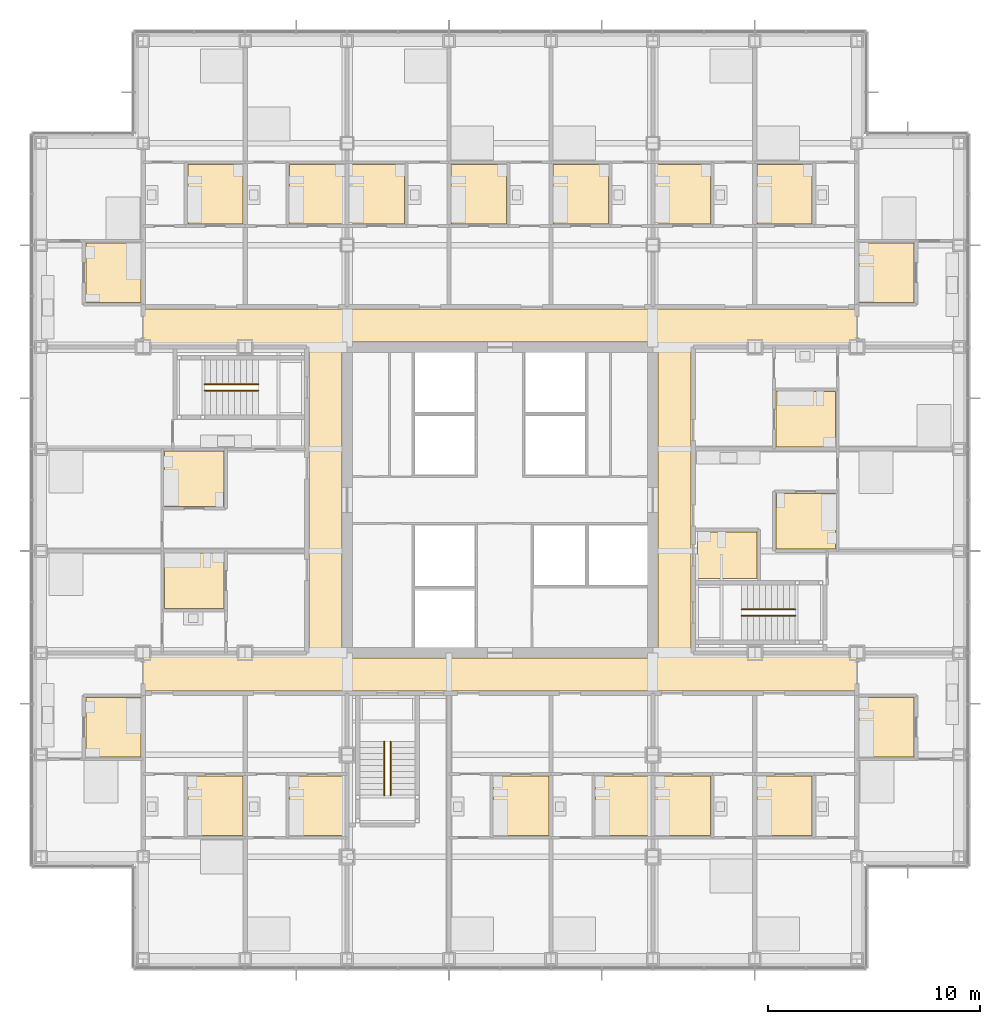
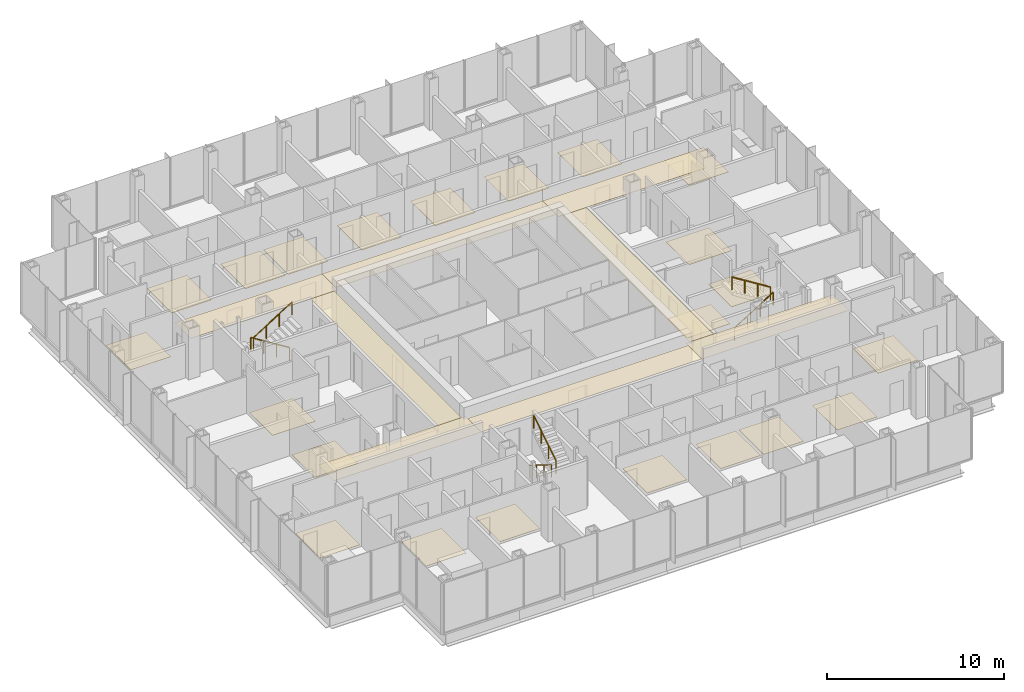
# One storey, part 20 of 22: 30 coverings, 6 railings.
"""IFC4 building model written with IfcOpenShell, lengths in metres."""

import ifcopenshell
import ifcopenshell.guid

model = None  # the IFC model being written
_history = None  # IfcOwnerHistory: only IFC2X3 demands one
_inside = {}  # id of a spatial element -> (the spatial element, [elements in it])
_under = {}  # id of a project, library or spatial element -> (it, [spatial elements below it])
_declared = {}  # id of a project -> (the project, [libraries it declares])
_typed = {}  # id of a type object -> (the type object, [elements of that type])
_made_of = {}  # id of a material, layer set ... -> (it, [elements and type objects made of it])


def new_model(schema):
    """Start an empty IFC model of exactly this schema.

    Asked for "IFC4X3", IfcOpenShell would pick the latest addendum, in which some entities
    have other attributes; the version numbers below select the first issue.
    IFC2X3 requires an IfcOwnerHistory on every rooted entity: one is made here for all.
    """
    global model, _history
    if schema == "IFC4X3":
        model = ifcopenshell.file(schema_version=(4, 3, 0, 0))
    else:
        model = ifcopenshell.file(schema=schema)
    _inside.clear()
    _under.clear()
    _declared.clear()
    _typed.clear()
    _made_of.clear()
    _history = None
    if model.schema == "IFC2X3":
        org = make("IfcOrganization", Name="unknown")
        user = make(
            "IfcPersonAndOrganization",
            ThePerson=make("IfcPerson", FamilyName="unknown"),
            TheOrganization=org,
        )
        app = make(
            "IfcApplication",
            ApplicationDeveloper=org,
            Version="unknown",
            ApplicationFullName="unknown",
            ApplicationIdentifier="unknown",
        )
        _history = make(
            "IfcOwnerHistory",
            OwningUser=user,
            OwningApplication=app,
            ChangeAction="ADDED",
            CreationDate=0,
        )
    return model


def make(cls, **values):
    """One entity of the class cls with the attributes given. An attribute that is None is left unset."""
    return model.create_entity(
        cls, **{name: value for name, value in values.items() if value is not None}
    )


def rooted(cls, **values):
    """An entity with a GlobalId (a new one), such as an element, a storey or a relation."""
    return make(cls, GlobalId=ifcopenshell.guid.new(), OwnerHistory=_history, **values)


def si_unit(unit_type, name, prefix=None):
    """IfcSIUnit, for example si_unit("LENGTHUNIT", "METRE", prefix="MILLI")."""
    return make("IfcSIUnit", UnitType=unit_type, Prefix=prefix, Name=name)


def assignment(units):
    """IfcUnitAssignment: the units of a project."""
    return None if units is None else make("IfcUnitAssignment", Units=units)


def point(xyz):
    """IfcCartesianPoint."""
    return None if xyz is None else make("IfcCartesianPoint", Coordinates=xyz)


def direction(xyz):
    """IfcDirection."""
    return None if xyz is None else make("IfcDirection", DirectionRatios=xyz)


def frame(location, z_axis=None, x_axis=None):
    """IfcAxis2Placement3D, a coordinate frame: its origin and axes. An axis left out is left unset."""
    return make(
        "IfcAxis2Placement3D",
        Location=point(location),
        Axis=direction(z_axis),
        RefDirection=direction(x_axis),
    )


def frame_2d(location, x_axis=None):
    """IfcAxis2Placement2D, a coordinate frame in the plane: its origin and x axis."""
    return make(
        "IfcAxis2Placement2D", Location=point(location), RefDirection=direction(x_axis)
    )


def origin():
    """The frame at (0, 0, 0) with its axes left unset."""
    return frame((0.0, 0.0, 0.0))


def origin_2d():
    """The frame at (0, 0) in the plane with its x axis left unset."""
    return frame_2d((0.0, 0.0))


def place(relative_to, where):
    """IfcLocalPlacement: puts the frame where relative to a parent placement (None: the world)."""
    return make(
        "IfcLocalPlacement", PlacementRelTo=relative_to, RelativePlacement=where
    )


def context(
    kind, dimensions, precision=None, world=None, true_north=None, identifier=None
):
    """IfcGeometricRepresentationContext, for example the 3D "Model" context."""
    return make(
        "IfcGeometricRepresentationContext",
        ContextIdentifier=identifier,
        ContextType=kind,
        CoordinateSpaceDimension=dimensions,
        Precision=precision,
        WorldCoordinateSystem=world,
        TrueNorth=true_north,
    )


def subcontext(parent, identifier, kind, view, scale=None):
    """IfcGeometricRepresentationSubContext, for example "Body" below "Model"."""
    return make(
        "IfcGeometricRepresentationSubContext",
        ContextIdentifier=identifier,
        ContextType=kind,
        ParentContext=parent,
        TargetScale=scale,
        TargetView=view,
    )


def project(units=None, contexts=None):
    """IfcProject with its units and contexts."""
    return rooted(
        "IfcProject",
        Name="project",
        RepresentationContexts=contexts,
        UnitsInContext=assignment(units),
    )


def spatial(cls, under=None, at=None, **own):
    """A site, building, storey or space (cls), placed at a placement, below another one or the project."""
    s = rooted(cls, ObjectPlacement=at, **own)
    if under is not None:
        _under.setdefault(under.id(), (under, []))[1].append(s)
    return s


def polyline(points):
    """IfcPolyline through the points."""
    return make("IfcPolyline", Points=[point(p) for p in points])


def profile(cls, at=None, kind="AREA", **sizes):
    """A parametric profile (cls). Its sizes go by their IFC names, for example OverallWidth=200.0."""
    return make(cls, ProfileType=kind, Position=at, **sizes)


def circle(**sizes):
    """IfcCircleProfileDef."""
    return profile("IfcCircleProfileDef", **sizes)


def outline(outer, holes=None, kind="AREA"):
    """IfcArbitraryClosedProfileDef: a profile drawn as a closed curve; with holes, ...WithVoids."""
    if holes is None:
        return make("IfcArbitraryClosedProfileDef", ProfileType=kind, OuterCurve=outer)
    return make(
        "IfcArbitraryProfileDefWithVoids",
        ProfileType=kind,
        OuterCurve=outer,
        InnerCurves=holes,
    )


def extrude(swept, where, along, depth):
    """IfcExtrudedAreaSolid: the profile swept, set in the frame where, extruded along a direction by depth."""
    return make(
        "IfcExtrudedAreaSolid",
        SweptArea=swept,
        Position=where,
        ExtrudedDirection=direction(along),
        Depth=depth,
    )


def shape(context_of_items, identifier, shape_type, items):
    """IfcShapeRepresentation: the items that make up one representation, for example the "Body"."""
    return make(
        "IfcShapeRepresentation",
        ContextOfItems=context_of_items,
        RepresentationIdentifier=identifier,
        RepresentationType=shape_type,
        Items=items,
    )


def material(Name=None, Category=None):
    """IfcMaterial."""
    return make("IfcMaterial", Name=Name, Category=Category)


def layer(
    of_material, thickness, ventilated=None, Name=None, Category=None, Priority=None
):
    """IfcMaterialLayer: one layer of a wall or slab, of a material (None: an air gap)."""
    return make(
        "IfcMaterialLayer",
        Material=of_material,
        LayerThickness=thickness,
        IsVentilated=ventilated,
        Name=Name,
        Category=Category,
        Priority=Priority,
    )


def layer_set(layers, Name=None):
    """IfcMaterialLayerSet."""
    return make("IfcMaterialLayerSet", MaterialLayers=layers, LayerSetName=Name)


def made_of(thing, what):
    """Note that an element or type object is made of a material, layer set ...; save() writes the relation."""
    if what is not None:
        _made_of.setdefault(what.id(), (what, []))[1].append(thing)
    return thing


def type_object(cls, material=None, **own):
    """A type object (cls), such as IfcWallType, which elements share."""
    return made_of(rooted(cls, **own), material)


def element(
    cls,
    number,
    at=None,
    inside=None,
    cuts=None,
    type_object=None,
    material=None,
    context=None,
    identifier="Body",
    shape_type=None,
    held_by="IfcProductDefinitionShape",
    body=None,
    shapes=None,
    **own,
):
    """One element of the class cls, such as IfcWall. Its Tag is "e" and its number.

    at: its placement. inside: the storey or other place that contains it. cuts: it is an
    opening in that element (IfcRelVoidsElement). A single representation is given by context,
    identifier, shape_type and body (its items); several are given by shapes. held_by: the class
    of the entity that holds the representations. save() writes the other relations.
    """
    e = rooted(cls, Tag="e%d" % number, ObjectPlacement=at, **own)
    if body is not None:
        shapes = [shape(context, identifier, shape_type, body)]
    if shapes is not None:
        e.Representation = make(held_by, Representations=shapes)
    if inside is not None:
        _inside.setdefault(inside.id(), (inside, []))[1].append(e)
    if cuts is not None:
        rooted(
            "IfcRelVoidsElement", RelatingBuildingElement=cuts, RelatedOpeningElement=e
        )
    if type_object is not None:
        _typed.setdefault(type_object.id(), (type_object, []))[1].append(e)
    return made_of(e, material)


def aggregate(whole, parts):
    """IfcRelAggregates: a whole, such as a stair, and the parts it consists of."""
    return rooted("IfcRelAggregates", RelatingObject=whole, RelatedObjects=parts)


def save(model, path):
    """Write the relations noted so far, then the file.

    IfcRelAggregates (storeys below a building ...), IfcRelContainedInSpatialStructure (elements
    in a storey), IfcRelDefinesByType, IfcRelAssociatesMaterial and IfcRelDeclares: one each for
    every whole, place, type object, material and project.
    """
    for whole, parts in _under.values():
        aggregate(whole, parts)
    for where, things in _inside.values():
        rooted(
            "IfcRelContainedInSpatialStructure",
            RelatedElements=things,
            RelatingStructure=where,
        )
    for kind, things in _typed.values():
        rooted("IfcRelDefinesByType", RelatedObjects=things, RelatingType=kind)
    for what, things in _made_of.values():
        rooted("IfcRelAssociatesMaterial", RelatedObjects=things, RelatingMaterial=what)
    for by, libraries in _declared.values():
        rooted("IfcRelDeclares", RelatingContext=by, RelatedDefinitions=libraries)
    model.write(path)


model = new_model("IFC4")

# Units and contexts
model_context = context("Model", 3, precision=1e-05, world=origin(), true_north=direction((0.0, 1.0)))
body_context = subcontext(model_context, "Body", "Model", "MODEL_VIEW")
ifc_project = project(units=[si_unit("LENGTHUNIT", "METRE"), si_unit("AREAUNIT", "SQUARE_METRE"), si_unit("VOLUMEUNIT", "CUBIC_METRE"), si_unit("PLANEANGLEUNIT", "RADIAN"), si_unit("MASSUNIT", "GRAM", prefix="KILO")], contexts=[model_context])

# Site, building, storey
site_placement = place(None, origin())
site = spatial("IfcSite", under=ifc_project, at=site_placement, CompositionType="ELEMENT")
building_placement = place(site_placement, origin())
building = spatial("IfcBuilding", under=site, at=building_placement, Name="Kvirike Care Tower", CompositionType="ELEMENT")
storey_placement = place(building_placement, frame((0.0, 0.0, 72.5)))
storey = spatial("IfcBuildingStorey", under=building, at=storey_placement, Name="L19", CompositionType="ELEMENT", Elevation=72.5)

# Coverings
ifc_material_1 = material(Name="Perforated metal ceiling tile", Category="aluminium")
ifc_layer_1 = layer(ifc_material_1, 0.014892578125)
ifc_layer_set_1 = layer_set([ifc_layer_1], Name="CORRIDOR CEILING 15")
covering_type_1 = type_object("IfcCoveringType", Name="CORRIDOR CEILING 15", PredefinedType="CEILING", material=ifc_layer_set_1)
covering_1_placement = place(storey_placement, frame((0.0, 0.0, 2.5)))
element("IfcCovering", 1, at=covering_1_placement, inside=storey, type_object=covering_type_1, Name="Corridor ceiling L19", PredefinedType="CEILING", context=body_context, shape_type="SweptSolid", body=[
    extrude(outline(polyline([(4.800048828125, 27.0), (4.800048828125, 28.800048828125), (14.39990234375, 28.800048828125), (14.39990234375, 27.0), (4.800048828125, 27.0)])), origin(), (0.0, 0.0, 1.0), 0.014892578125),
])
covering_2_placement = place(storey_placement, frame((0.0, 0.0, 2.5)))
element("IfcCovering", 2, at=covering_2_placement, inside=storey, type_object=covering_type_1, Name="Corridor ceiling L19", PredefinedType="CEILING", context=body_context, shape_type="SweptSolid", body=[
    extrude(outline(polyline([(12.60009765625, 43.199951171875), (14.14990234375, 43.199951171875), (14.14990234375, 28.800048828125), (12.60009765625, 28.800048828125), (12.60009765625, 43.199951171875)])), origin(), (0.0, 0.0, 1.0), 0.014892578125),
])
covering_3_placement = place(storey_placement, frame((0.0, 0.0, 2.5)))
element("IfcCovering", 3, at=covering_3_placement, inside=storey, type_object=covering_type_1, Name="Corridor ceiling L19", PredefinedType="CEILING", context=body_context, shape_type="SweptSolid", body=[
    extrude(outline(polyline([(14.39990234375, 45.0), (14.39990234375, 43.199951171875), (4.800048828125, 43.199951171875), (4.800048828125, 45.0), (14.39990234375, 45.0)])), origin(), (0.0, 0.0, 1.0), 0.014892578125),
])
covering_4_placement = place(storey_placement, frame((0.0, 0.0, 2.5)))
element("IfcCovering", 4, at=covering_4_placement, inside=storey, type_object=covering_type_1, Name="Corridor ceiling L19", PredefinedType="CEILING", context=body_context, shape_type="SweptSolid", body=[
    extrude(outline(polyline([(14.39990234375, 27.0), (14.39990234375, 28.550048828125), (28.800048828125, 28.550048828125), (28.800048828125, 27.0), (14.39990234375, 27.0)])), origin(), (0.0, 0.0, 1.0), 0.014892578125),
])
covering_5_placement = place(storey_placement, frame((0.0, 0.0, 2.5)))
element("IfcCovering", 5, at=covering_5_placement, inside=storey, type_object=covering_type_1, Name="Corridor ceiling L19", PredefinedType="CEILING", context=body_context, shape_type="SweptSolid", body=[
    extrude(outline(polyline([(28.800048828125, 45.0), (28.800048828125, 43.449951171875), (14.39990234375, 43.449951171875), (14.39990234375, 45.0), (28.800048828125, 45.0)])), origin(), (0.0, 0.0, 1.0), 0.014892578125),
])
covering_6_placement = place(storey_placement, frame((0.0, 0.0, 2.5)))
element("IfcCovering", 6, at=covering_6_placement, inside=storey, type_object=covering_type_1, Name="Corridor ceiling L19", PredefinedType="CEILING", context=body_context, shape_type="SweptSolid", body=[
    extrude(outline(polyline([(28.800048828125, 27.0), (28.800048828125, 28.800048828125), (38.39990234375, 28.800048828125), (38.39990234375, 27.0), (28.800048828125, 27.0)])), origin(), (0.0, 0.0, 1.0), 0.014892578125),
])
covering_7_placement = place(storey_placement, frame((0.0, 0.0, 2.5)))
element("IfcCovering", 7, at=covering_7_placement, inside=storey, type_object=covering_type_1, Name="Corridor ceiling L19", PredefinedType="CEILING", context=body_context, shape_type="SweptSolid", body=[
    extrude(outline(polyline([(30.60009765625, 28.800048828125), (29.050048828125, 28.800048828125), (29.050048828125, 43.199951171875), (30.60009765625, 43.199951171875), (30.60009765625, 28.800048828125)])), origin(), (0.0, 0.0, 1.0), 0.014892578125),
])
covering_8_placement = place(storey_placement, frame((0.0, 0.0, 2.5)))
element("IfcCovering", 8, at=covering_8_placement, inside=storey, type_object=covering_type_1, Name="Corridor ceiling L19", PredefinedType="CEILING", context=body_context, shape_type="SweptSolid", body=[
    extrude(outline(polyline([(38.39990234375, 45.0), (38.39990234375, 43.199951171875), (28.800048828125, 43.199951171875), (28.800048828125, 45.0), (38.39990234375, 45.0)])), origin(), (0.0, 0.0, 1.0), 0.014892578125),
])

# Railings
ifc_material_2 = material(Name="Stainless steel handrail", Category="steel")
railing_type = type_object("IfcRailingType", Name="STAIR HANDRAIL 900", PredefinedType="HANDRAIL", material=ifc_material_2)
railing_1_placement = place(storey_placement, frame((10.219970703125, 41.449951171875, 0.175048828125)))
element("IfcRailing", 9, at=railing_1_placement, inside=storey, type_object=railing_type, Name="Stair 1 handrail L19 flight 1", PredefinedType="HANDRAIL", context=body_context, shape_type="SweptSolid", body=[
    extrude(circle(Radius=0.02490234375, at=origin_2d()), frame((0.0, 0.0, 0.875), z_axis=(-0.848007534815, 0.0, 0.529984170421), x_axis=(0.0, -1.0, 0.0)), (0.0, 0.0, 1.0), 2.9716796875),
    extrude(circle(Radius=0.02001953125, at=origin_2d()), origin(), (0.0, 0.0, 1.0), 0.849853515625),
    extrude(circle(Radius=0.02001953125, at=origin_2d()), frame((-0.840087890625, 0.0, 0.52490234375)), (0.0, 0.0, 1.0), 0.849853515625),
    extrude(circle(Radius=0.02001953125, at=origin_2d()), frame((-1.679931640625, 0.0, 1.050048828125)), (0.0, 0.0, 1.0), 0.849853515625),
    extrude(circle(Radius=0.02001953125, at=origin_2d()), frame((-2.52001953125, 0.0, 1.574951171875)), (0.0, 0.0, 1.0), 0.849853515625),
])
for number, where, name in (
    (10, (7.699951171875, 41.14990234375, 1.925048828125), "Stair 1 handrail L19 flight 2"),
    (11, (32.97998046875, 30.550048828125, 0.175048828125), "Stair 2 handrail L19 flight 1"),
):
    element("IfcRailing", number, at=place(storey_placement, frame(where)), inside=storey, type_object=railing_type, Name=name, PredefinedType="HANDRAIL", context=body_context, shape_type="SweptSolid", body=[
        extrude(circle(Radius=0.02490234375, at=origin_2d()), frame((0.0, 0.0, 0.875), z_axis=(0.848007534815, 0.0, 0.529984170421), x_axis=(0.0, 1.0, 0.0)), (0.0, 0.0, 1.0), 2.9716796875),
        extrude(circle(Radius=0.02001953125, at=origin_2d()), origin(), (0.0, 0.0, 1.0), 0.849853515625),
        extrude(circle(Radius=0.02001953125, at=origin_2d()), frame((0.840087890625, 0.0, 0.52490234375)), (0.0, 0.0, 1.0), 0.849853515625),
        extrude(circle(Radius=0.02001953125, at=origin_2d()), frame((1.679931640625, 0.0, 1.050048828125)), (0.0, 0.0, 1.0), 0.849853515625),
        extrude(circle(Radius=0.02001953125, at=origin_2d()), frame((2.52001953125, 0.0, 1.574951171875)), (0.0, 0.0, 1.0), 0.849853515625),
    ])
railing_2_placement = place(storey_placement, frame((35.5, 30.85009765625, 1.925048828125)))
element("IfcRailing", 12, at=railing_2_placement, inside=storey, type_object=railing_type, Name="Stair 2 handrail L19 flight 2", PredefinedType="HANDRAIL", context=body_context, shape_type="SweptSolid", body=[
    extrude(circle(Radius=0.02490234375, at=origin_2d()), frame((0.0, 0.0, 0.875), z_axis=(-0.848007534815, 0.0, 0.529984170421), x_axis=(0.0, -1.0, 0.0)), (0.0, 0.0, 1.0), 2.9716796875),
    extrude(circle(Radius=0.02001953125, at=origin_2d()), origin(), (0.0, 0.0, 1.0), 0.849853515625),
    extrude(circle(Radius=0.02001953125, at=origin_2d()), frame((-0.840087890625, 0.0, 0.52490234375)), (0.0, 0.0, 1.0), 0.849853515625),
    extrude(circle(Radius=0.02001953125, at=origin_2d()), frame((-1.679931640625, 0.0, 1.050048828125)), (0.0, 0.0, 1.0), 0.849853515625),
    extrude(circle(Radius=0.02001953125, at=origin_2d()), frame((-2.52001953125, 0.0, 1.574951171875)), (0.0, 0.0, 1.0), 0.849853515625),
])
railing_3_placement = place(storey_placement, frame((16.14990234375, 24.6201171875, 0.175048828125)))
element("IfcRailing", 13, at=railing_3_placement, inside=storey, type_object=railing_type, Name="Stair 5 handrail L19 flight 1", PredefinedType="HANDRAIL", context=body_context, shape_type="SweptSolid", body=[
    extrude(circle(Radius=0.02490234375, at=origin_2d()), frame((0.0, 0.0, 0.875), z_axis=(0.0, -0.848007534815, 0.529984170421), x_axis=(1.0, 0.0, 0.0)), (0.0, 0.0, 1.0), 2.9716796875),
    extrude(circle(Radius=0.02001953125, at=origin_2d()), origin(), (0.0, 0.0, 1.0), 0.849853515625),
    extrude(circle(Radius=0.02001953125, at=origin_2d()), frame((0.0, -0.840087890625, 0.52490234375)), (0.0, 0.0, 1.0), 0.849853515625),
    extrude(circle(Radius=0.02001953125, at=origin_2d()), frame((0.0, -1.679931640625, 1.050048828125)), (0.0, 0.0, 1.0), 0.849853515625),
    extrude(circle(Radius=0.02001953125, at=origin_2d()), frame((0.0, -2.52001953125, 1.574951171875)), (0.0, 0.0, 1.0), 0.849853515625),
])
railing_4_placement = place(storey_placement, frame((16.449951171875, 22.10009765625, 1.925048828125)))
element("IfcRailing", 14, at=railing_4_placement, inside=storey, type_object=railing_type, Name="Stair 5 handrail L19 flight 2", PredefinedType="HANDRAIL", context=body_context, shape_type="SweptSolid", body=[
    extrude(circle(Radius=0.02490234375, at=origin_2d()), frame((0.0, 0.0, 0.875), z_axis=(0.0, 0.848007534815, 0.529984170421), x_axis=(-1.0, 0.0, 0.0)), (0.0, 0.0, 1.0), 2.9716796875),
    extrude(circle(Radius=0.02001953125, at=origin_2d()), origin(), (0.0, 0.0, 1.0), 0.849853515625),
    extrude(circle(Radius=0.02001953125, at=origin_2d()), frame((0.0, 0.840087890625, 0.52490234375)), (0.0, 0.0, 1.0), 0.849853515625),
    extrude(circle(Radius=0.02001953125, at=origin_2d()), frame((0.0, 1.679931640625, 1.050048828125)), (0.0, 0.0, 1.0), 0.849853515625),
    extrude(circle(Radius=0.02001953125, at=origin_2d()), frame((0.0, 2.52001953125, 1.574951171875)), (0.0, 0.0, 1.0), 0.849853515625),
])

# Coverings
ifc_material_3 = material(Name="Slip-resistant vinyl safety flooring on screed")
ifc_layer_2 = layer(ifc_material_3, 0.02001953125)
ifc_layer_set_2 = layer_set([ifc_layer_2], Name="WET ROOM FLOOR 20")
covering_type_2 = type_object("IfcCoveringType", Name="WET ROOM FLOOR 20", PredefinedType="FLOORING", material=ifc_layer_set_2)
covering_9_placement = place(storey_placement, origin())
element("IfcCovering", 15, at=covering_9_placement, inside=storey, type_object=covering_type_2, Name="Bathroom floor L19-003", PredefinedType="FLOORING", context=body_context, shape_type="SweptSolid", body=[
    extrude(outline(polyline([(2.10009765625, 23.89990234375), (2.10009765625, 26.699951171875), (4.699951171875, 26.699951171875), (4.699951171875, 23.89990234375), (2.10009765625, 23.89990234375)])), origin(), (0.0, 0.0, 1.0), 0.02001953125),
])
covering_10_placement = place(storey_placement, origin())
element("IfcCovering", 16, at=covering_10_placement, inside=storey, type_object=covering_type_2, Name="Bathroom floor L19-006", PredefinedType="FLOORING", context=body_context, shape_type="SweptSolid", body=[
    extrude(outline(polyline([(6.89990234375, 20.199951171875), (6.89990234375, 23.0), (9.5, 23.0), (9.5, 20.199951171875), (6.89990234375, 20.199951171875)])), origin(), (0.0, 0.0, 1.0), 0.02001953125),
])
covering_11_placement = place(storey_placement, origin())
element("IfcCovering", 17, at=covering_11_placement, inside=storey, type_object=covering_type_2, Name="Bathroom floor L19-010", PredefinedType="FLOORING", context=body_context, shape_type="SweptSolid", body=[
    extrude(outline(polyline([(11.699951171875, 20.199951171875), (11.699951171875, 23.0), (14.300048828125, 23.0), (14.300048828125, 20.199951171875), (11.699951171875, 20.199951171875)])), origin(), (0.0, 0.0, 1.0), 0.02001953125),
])
covering_12_placement = place(storey_placement, origin())
element("IfcCovering", 18, at=covering_12_placement, inside=storey, type_object=covering_type_2, Name="Bathroom floor L19-017", PredefinedType="FLOORING", context=body_context, shape_type="SweptSolid", body=[
    extrude(outline(polyline([(5.800048828125, 38.300048828125), (8.60009765625, 38.300048828125), (8.60009765625, 35.699951171875), (5.800048828125, 35.699951171875), (5.800048828125, 38.300048828125)])), origin(), (0.0, 0.0, 1.0), 0.02001953125),
])
covering_13_placement = place(storey_placement, origin())
element("IfcCovering", 19, at=covering_13_placement, inside=storey, type_object=covering_type_2, Name="Bathroom floor L19-021", PredefinedType="FLOORING", context=body_context, shape_type="SweptSolid", body=[
    extrude(outline(polyline([(5.800048828125, 33.5), (8.60009765625, 33.5), (8.60009765625, 30.89990234375), (5.800048828125, 30.89990234375), (5.800048828125, 33.5)])), origin(), (0.0, 0.0, 1.0), 0.02001953125),
])
covering_14_placement = place(storey_placement, origin())
element("IfcCovering", 20, at=covering_14_placement, inside=storey, type_object=covering_type_2, Name="Bathroom floor L19-026", PredefinedType="FLOORING", context=body_context, shape_type="SweptSolid", body=[
    extrude(outline(polyline([(14.300048828125, 51.800048828125), (14.300048828125, 49.0), (11.699951171875, 49.0), (11.699951171875, 51.800048828125), (14.300048828125, 51.800048828125)])), origin(), (0.0, 0.0, 1.0), 0.02001953125),
])
covering_15_placement = place(storey_placement, origin())
element("IfcCovering", 21, at=covering_15_placement, inside=storey, type_object=covering_type_2, Name="Bathroom floor L19-030", PredefinedType="FLOORING", context=body_context, shape_type="SweptSolid", body=[
    extrude(outline(polyline([(9.5, 51.800048828125), (9.5, 49.0), (6.89990234375, 49.0), (6.89990234375, 51.800048828125), (9.5, 51.800048828125)])), origin(), (0.0, 0.0, 1.0), 0.02001953125),
])
covering_16_placement = place(storey_placement, origin())
element("IfcCovering", 22, at=covering_16_placement, inside=storey, type_object=covering_type_2, Name="Bathroom floor L19-034", PredefinedType="FLOORING", context=body_context, shape_type="SweptSolid", body=[
    extrude(outline(polyline([(4.699951171875, 48.10009765625), (4.699951171875, 45.300048828125), (2.10009765625, 45.300048828125), (2.10009765625, 48.10009765625), (4.699951171875, 48.10009765625)])), origin(), (0.0, 0.0, 1.0), 0.02001953125),
])
covering_17_placement = place(storey_placement, origin())
element("IfcCovering", 23, at=covering_17_placement, inside=storey, type_object=covering_type_2, Name="Bathroom floor L19-040", PredefinedType="FLOORING", context=body_context, shape_type="SweptSolid", body=[
    extrude(outline(polyline([(21.300048828125, 20.199951171875), (21.300048828125, 23.0), (23.89990234375, 23.0), (23.89990234375, 20.199951171875), (21.300048828125, 20.199951171875)])), origin(), (0.0, 0.0, 1.0), 0.02001953125),
])
covering_18_placement = place(storey_placement, origin())
element("IfcCovering", 24, at=covering_18_placement, inside=storey, type_object=covering_type_2, Name="Bathroom floor L19-044", PredefinedType="FLOORING", context=body_context, shape_type="SweptSolid", body=[
    extrude(outline(polyline([(26.10009765625, 20.199951171875), (26.10009765625, 23.0), (28.699951171875, 23.0), (28.699951171875, 20.199951171875), (26.10009765625, 20.199951171875)])), origin(), (0.0, 0.0, 1.0), 0.02001953125),
])
covering_19_placement = place(storey_placement, origin())
element("IfcCovering", 25, at=covering_19_placement, inside=storey, type_object=covering_type_2, Name="Bathroom floor L19-049", PredefinedType="FLOORING", context=body_context, shape_type="SweptSolid", body=[
    extrude(outline(polyline([(26.699951171875, 51.800048828125), (26.699951171875, 49.0), (24.10009765625, 49.0), (24.10009765625, 51.800048828125), (26.699951171875, 51.800048828125)])), origin(), (0.0, 0.0, 1.0), 0.02001953125),
])
covering_20_placement = place(storey_placement, origin())
element("IfcCovering", 26, at=covering_20_placement, inside=storey, type_object=covering_type_2, Name="Bathroom floor L19-053", PredefinedType="FLOORING", context=body_context, shape_type="SweptSolid", body=[
    extrude(outline(polyline([(21.89990234375, 51.800048828125), (21.89990234375, 49.0), (19.300048828125, 49.0), (19.300048828125, 51.800048828125), (21.89990234375, 51.800048828125)])), origin(), (0.0, 0.0, 1.0), 0.02001953125),
])
covering_21_placement = place(storey_placement, origin())
element("IfcCovering", 27, at=covering_21_placement, inside=storey, type_object=covering_type_2, Name="Bathroom floor L19-057", PredefinedType="FLOORING", context=body_context, shape_type="SweptSolid", body=[
    extrude(outline(polyline([(17.10009765625, 51.800048828125), (17.10009765625, 49.0), (14.5, 49.0), (14.5, 51.800048828125), (17.10009765625, 51.800048828125)])), origin(), (0.0, 0.0, 1.0), 0.02001953125),
])
covering_22_placement = place(storey_placement, origin())
element("IfcCovering", 28, at=covering_22_placement, inside=storey, type_object=covering_type_2, Name="Bathroom floor L19-062", PredefinedType="FLOORING", context=body_context, shape_type="SweptSolid", body=[
    extrude(outline(polyline([(28.89990234375, 20.199951171875), (28.89990234375, 23.0), (31.5, 23.0), (31.5, 20.199951171875), (28.89990234375, 20.199951171875)])), origin(), (0.0, 0.0, 1.0), 0.02001953125),
])
covering_23_placement = place(storey_placement, origin())
element("IfcCovering", 29, at=covering_23_placement, inside=storey, type_object=covering_type_2, Name="Bathroom floor L19-066", PredefinedType="FLOORING", context=body_context, shape_type="SweptSolid", body=[
    extrude(outline(polyline([(33.699951171875, 20.199951171875), (33.699951171875, 23.0), (36.300048828125, 23.0), (36.300048828125, 20.199951171875), (33.699951171875, 20.199951171875)])), origin(), (0.0, 0.0, 1.0), 0.02001953125),
])
covering_24_placement = place(storey_placement, origin())
element("IfcCovering", 30, at=covering_24_placement, inside=storey, type_object=covering_type_2, Name="Bathroom floor L19-070", PredefinedType="FLOORING", context=body_context, shape_type="SweptSolid", body=[
    extrude(outline(polyline([(38.5, 23.89990234375), (38.5, 26.699951171875), (41.10009765625, 26.699951171875), (41.10009765625, 23.89990234375), (38.5, 23.89990234375)])), origin(), (0.0, 0.0, 1.0), 0.02001953125),
])
covering_25_placement = place(storey_placement, origin())
element("IfcCovering", 31, at=covering_25_placement, inside=storey, type_object=covering_type_2, Name="Accessible WC floor L19-076", PredefinedType="FLOORING", context=body_context, shape_type="SweptSolid", body=[
    extrude(outline(polyline([(33.699951171875, 32.300048828125), (30.89990234375, 32.300048828125), (30.89990234375, 34.5), (33.699951171875, 34.5), (33.699951171875, 32.300048828125)])), origin(), (0.0, 0.0, 1.0), 0.02001953125),
])
covering_26_placement = place(storey_placement, origin())
element("IfcCovering", 32, at=covering_26_placement, inside=storey, type_object=covering_type_2, Name="Bathroom floor L19-077", PredefinedType="FLOORING", context=body_context, shape_type="SweptSolid", body=[
    extrude(outline(polyline([(37.39990234375, 33.699951171875), (34.60009765625, 33.699951171875), (34.60009765625, 36.300048828125), (37.39990234375, 36.300048828125), (37.39990234375, 33.699951171875)])), origin(), (0.0, 0.0, 1.0), 0.02001953125),
])
covering_27_placement = place(storey_placement, origin())
element("IfcCovering", 33, at=covering_27_placement, inside=storey, type_object=covering_type_2, Name="Bathroom floor L19-080", PredefinedType="FLOORING", context=body_context, shape_type="SweptSolid", body=[
    extrude(outline(polyline([(37.39990234375, 38.5), (34.60009765625, 38.5), (34.60009765625, 41.10009765625), (37.39990234375, 41.10009765625), (37.39990234375, 38.5)])), origin(), (0.0, 0.0, 1.0), 0.02001953125),
])
covering_28_placement = place(storey_placement, origin())
element("IfcCovering", 34, at=covering_28_placement, inside=storey, type_object=covering_type_2, Name="Bathroom floor L19-085", PredefinedType="FLOORING", context=body_context, shape_type="SweptSolid", body=[
    extrude(outline(polyline([(41.10009765625, 48.10009765625), (41.10009765625, 45.300048828125), (38.5, 45.300048828125), (38.5, 48.10009765625), (41.10009765625, 48.10009765625)])), origin(), (0.0, 0.0, 1.0), 0.02001953125),
])
covering_29_placement = place(storey_placement, origin())
element("IfcCovering", 35, at=covering_29_placement, inside=storey, type_object=covering_type_2, Name="Bathroom floor L19-088", PredefinedType="FLOORING", context=body_context, shape_type="SweptSolid", body=[
    extrude(outline(polyline([(36.300048828125, 51.800048828125), (36.300048828125, 49.0), (33.699951171875, 49.0), (33.699951171875, 51.800048828125), (36.300048828125, 51.800048828125)])), origin(), (0.0, 0.0, 1.0), 0.02001953125),
])
covering_30_placement = place(storey_placement, origin())
element("IfcCovering", 36, at=covering_30_placement, inside=storey, type_object=covering_type_2, Name="Bathroom floor L19-092", PredefinedType="FLOORING", context=body_context, shape_type="SweptSolid", body=[
    extrude(outline(polyline([(31.5, 51.800048828125), (31.5, 49.0), (28.89990234375, 49.0), (28.89990234375, 51.800048828125), (31.5, 51.800048828125)])), origin(), (0.0, 0.0, 1.0), 0.02001953125),
])

save(model, "model.ifc")
